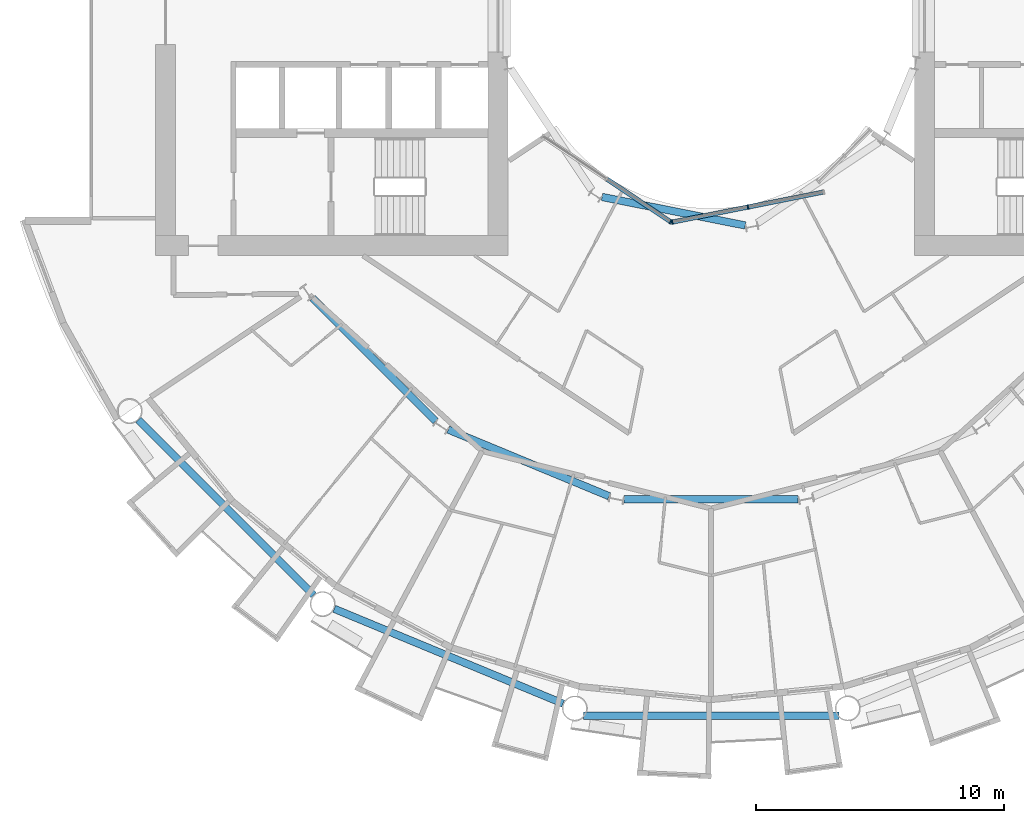
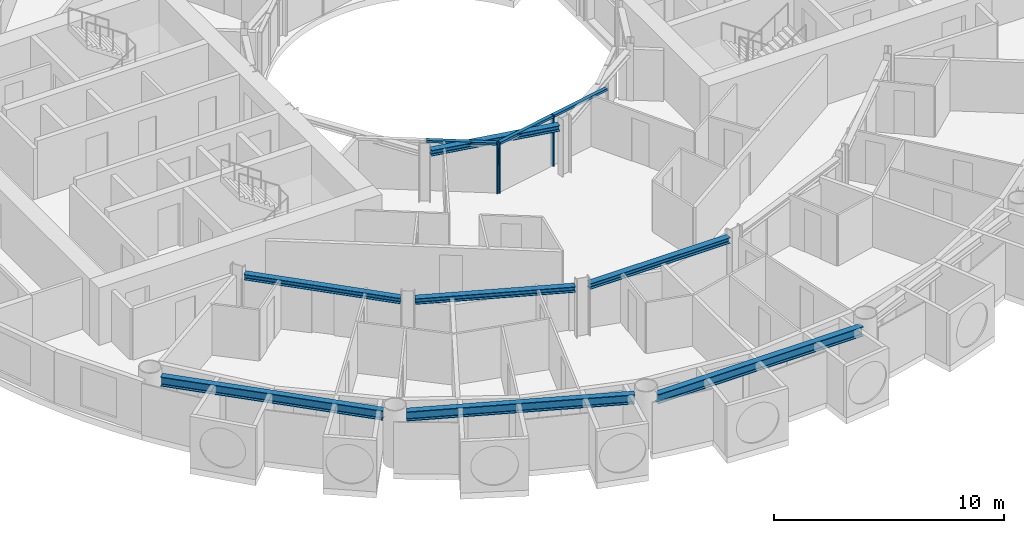
# One storey, part 4 of 26: 7 beams, 6 members, 2 elements without a shape of their own.
"""IFC4 building model written with IfcOpenShell, lengths in metres."""

from ifc_helpers import new_model, si_unit, direction, frame, origin, origin_2d, place, context, subcontext, project, spatial, rectangle, i_section, extrude, material, layer, layer_set, material_profile, profile_set, type_object, element, aggregate, save


model = new_model("IFC4")

# Units and contexts
model_context = context("Model", 3, precision=1e-05, world=origin(), true_north=direction((0.0, 1.0)))
body_context = subcontext(model_context, "Body", "Model", "MODEL_VIEW")
ifc_project = project(units=[si_unit("LENGTHUNIT", "METRE"), si_unit("AREAUNIT", "SQUARE_METRE"), si_unit("VOLUMEUNIT", "CUBIC_METRE"), si_unit("PLANEANGLEUNIT", "RADIAN"), si_unit("MASSUNIT", "GRAM", prefix="KILO")], contexts=[model_context])

# Site, building, storey
site_placement = place(None, origin())
site = spatial("IfcSite", under=ifc_project, at=site_placement, CompositionType="ELEMENT")
building_placement = place(site_placement, origin())
building = spatial("IfcBuilding", under=site, at=building_placement, Name="Maasbend Ring Residences", CompositionType="ELEMENT")
storey_placement = place(building_placement, frame((0.0, 0.0, 31.949951171875)))
storey = spatial("IfcBuildingStorey", under=building, at=storey_placement, Name="L08", CompositionType="ELEMENT", Elevation=31.949951171875)

# Curtain wall, member
ifc_material_1 = material(Name="Aluminium and clear glass", Category="aluminium")
ifc_layer = layer(ifc_material_1, 0.179931640625)
ifc_layer_set = layer_set([ifc_layer], Name="CW-W")
curtain_wall_type = type_object("IfcCurtainWallType", Name="CW-W", PredefinedType="NOTDEFINED", material=ifc_layer_set)
curtain_wall_1_placement = place(storey_placement, origin())
curtain_wall_1 = element("IfcCurtainWall", 1, at=curtain_wall_1_placement, inside=storey, type_object=curtain_wall_type, Name="Well curtain wall S1", PredefinedType="NOTDEFINED")
ifc_material_2 = material(Name="Aluminium 6063-T6", Category="aluminium")
ifc_material_profile_1 = material_profile(ifc_material_2, rectangle(XDim=0.179931640625, YDim=0.06005859375, at=origin_2d()), Name="AL 180x60")
ifc_profile_set_1 = profile_set([ifc_material_profile_1], Name="Aluminium 6063-T6")
member_type_1 = type_object("IfcMemberType", Name="CWM-W", PredefinedType="MULLION", material=ifc_profile_set_1)
member_1_placement = place(storey_placement, frame((-1.627685546875, -8.040771484375, 0.0), z_axis=(0.0, 0.0, 1.0), x_axis=(0.55557023302, 0.831469612303, 0.0)))
member_1 = element("IfcMember", 2, at=member_1_placement, type_object=member_type_1, Name="Mullion well face", PredefinedType="MULLION", context=body_context, shape_type="SweptSolid", body=[
    extrude(rectangle(XDim=0.179931640625, YDim=0.06005859375, at=origin_2d()), origin(), (0.0, 0.0, 1.0), 2.699951171875),
])

# Curtain wall, members
curtain_wall_2_placement = place(storey_placement, origin())
curtain_wall_2 = element("IfcCurtainWall", 3, at=curtain_wall_2_placement, inside=storey, type_object=curtain_wall_type, Name="Well curtain wall S2", PredefinedType="NOTDEFINED")
member_2_placement = place(storey_placement, frame((-1.5732421875, -8.0517578125, 0.0), z_axis=(0.0, 0.0, 1.0), x_axis=(-0.195090322016, 0.980785280403, 0.0)))
member_2 = element("IfcMember", 4, at=member_2_placement, type_object=member_type_1, Name="Mullion well face", PredefinedType="MULLION", context=body_context, shape_type="SweptSolid", body=[
    extrude(rectangle(XDim=0.179931640625, YDim=0.06005859375, at=origin_2d()), origin(), (0.0, 0.0, 1.0), 2.699951171875),
])
member_3_placement = place(storey_placement, frame((1.480712890625, -7.444091796875, 0.0), z_axis=(0.0, 0.0, 1.0), x_axis=(-0.195090322016, 0.980785280403, 0.0)))
member_3 = element("IfcMember", 5, at=member_3_placement, type_object=member_type_1, Name="Mullion well face", PredefinedType="MULLION", context=body_context, shape_type="SweptSolid", body=[
    extrude(rectangle(XDim=0.179931640625, YDim=0.06005859375, at=origin_2d()), origin(), (0.0, 0.0, 1.0), 2.699951171875),
])

# Member
ifc_material_3 = material(Name="Aluminium 6063-T6", Category="aluminium")
ifc_material_profile_2 = material_profile(ifc_material_3, rectangle(XDim=0.179931640625, YDim=0.1201171875, at=origin_2d()), Name="AL 180x120")
ifc_profile_set_2 = profile_set([ifc_material_profile_2], Name="Aluminium 6063-T6")
member_type_2 = type_object("IfcMemberType", Name="CWT-W", PredefinedType="USERDEFINED", material=ifc_profile_set_2)
member_4_placement = place(storey_placement, frame((-4.19189453125, -6.32763671875, 2.64013671875), z_axis=(0.831496422459, -0.555530106689, 0.0), x_axis=(0.555530106689, 0.831496422459, 0.0)))
member_4 = element("IfcMember", 6, at=member_4_placement, type_object=member_type_2, Name="Transom well face", ObjectType="TRANSOM", PredefinedType="USERDEFINED", context=body_context, shape_type="SweptSolid", body=[
    extrude(rectangle(XDim=0.179931640625, YDim=0.1201171875, at=origin_2d()), origin(), (0.0, 0.0, 1.0), 3.053955078125),
])

aggregate(curtain_wall_1, [member_1, member_4])

member_5_placement = place(storey_placement, frame((-1.5439453125, -8.0458984375, 2.64013671875), z_axis=(0.980776956105, 0.195132166424, 0.0), x_axis=(-0.195132166424, 0.980776956105, 0.0)))
member_5 = element("IfcMember", 7, at=member_5_placement, type_object=member_type_2, Name="Transom well face", ObjectType="TRANSOM", PredefinedType="USERDEFINED", context=body_context, shape_type="SweptSolid", body=[
    extrude(rectangle(XDim=0.179931640625, YDim=0.1201171875, at=origin_2d()), origin(), (0.0, 0.0, 1.0), 3.053955078125),
])

member_6_placement = place(storey_placement, frame((1.51025390625, -7.438232421875, 2.64013671875), z_axis=(0.980789210404, 0.19507056353, 0.0), x_axis=(-0.19507056353, 0.980789210404, 0.0)))
member_6 = element("IfcMember", 8, at=member_6_placement, type_object=member_type_2, Name="Transom well face", ObjectType="TRANSOM", PredefinedType="USERDEFINED", context=body_context, shape_type="SweptSolid", body=[
    extrude(rectangle(XDim=0.179931640625, YDim=0.1201171875, at=origin_2d()), origin(), (0.0, 0.0, 1.0), 3.0537109375),
])

aggregate(curtain_wall_2, [member_2, member_3, member_5, member_6])

# Beams
ifc_material_4 = material(Name="Steel S355J2", Category="steel")
ifc_material_profile_3 = material_profile(ifc_material_4, i_section(OverallWidth=0.300048828125, OverallDepth=0.300048828125, WebThickness=0.010986328125, FlangeThickness=0.01904296875, FilletRadius=0.027099609375, at=origin_2d()), Name="HEB 300")
ifc_profile_set_3 = profile_set([ifc_material_profile_3], Name="Steel S355J2")
beam_type_1 = type_object("IfcBeamType", Name="Corridor ring beam HEB 300", PredefinedType="BEAM", material=ifc_profile_set_3)
beam_1_placement = place(storey_placement, frame((-16.0732421875, -11.11279296875, 2.550048828125), z_axis=(0.707106781187, -0.707106781187, 0.0), x_axis=(0.707106781187, 0.707106781187, 0.0)))
element("IfcBeam", 9, at=beam_1_placement, inside=storey, type_object=beam_type_1, Name="Corridor ring beam", PredefinedType="BEAM", context=body_context, shape_type="SweptSolid", body=[
    extrude(i_section(OverallWidth=0.300048828125, OverallDepth=0.300048828125, WebThickness=0.010986328125, FlangeThickness=0.01904296875, FilletRadius=0.027099609375, at=origin_2d()), origin(), (0.0, 0.0, 1.0), 7.01513671875),
])
beam_2_placement = place(storey_placement, frame((-10.59716796875, -16.417724609375, 2.550048828125), z_axis=(0.923886196809, -0.38266734293, 0.0), x_axis=(0.38266734293, 0.923886196809, 0.0)))
element("IfcBeam", 10, at=beam_2_placement, inside=storey, type_object=beam_type_1, Name="Corridor ring beam", PredefinedType="BEAM", context=body_context, shape_type="SweptSolid", body=[
    extrude(i_section(OverallWidth=0.300048828125, OverallDepth=0.300048828125, WebThickness=0.010986328125, FlangeThickness=0.01904296875, FilletRadius=0.027099609375, at=origin_2d()), origin(), (0.0, 0.0, 1.0), 7.015380859375),
])
beam_3_placement = place(storey_placement, frame((-3.5078125, -19.223388671875, 2.550048828125), z_axis=(1.0, 0.0, 0.0), x_axis=(0.0, 1.0, 0.0)))
element("IfcBeam", 11, at=beam_3_placement, inside=storey, type_object=beam_type_1, Name="Corridor ring beam", PredefinedType="BEAM", context=body_context, shape_type="SweptSolid", body=[
    extrude(i_section(OverallWidth=0.300048828125, OverallDepth=0.300048828125, WebThickness=0.010986328125, FlangeThickness=0.01904296875, FilletRadius=0.027099609375, at=origin_2d()), origin(), (0.0, 0.0, 1.0), 7.015625),
])
ifc_material_5 = material(Name="Steel S355J2", Category="steel")
ifc_material_profile_4 = material_profile(ifc_material_5, i_section(OverallWidth=0.300048828125, OverallDepth=0.5, WebThickness=0.014404296875, FlangeThickness=0.028076171875, FilletRadius=0.027099609375, at=origin_2d()), Name="HEB 500")
ifc_profile_set_4 = profile_set([ifc_material_profile_4], Name="Steel S355J2")
beam_type_2 = type_object("IfcBeamType", Name="Spandrel ring beam HEB 500", PredefinedType="SPANDREL", material=ifc_profile_set_4)
beam_4_placement = place(storey_placement, frame((-23.088134765625, -16.0263671875, 2.449951171875), z_axis=(0.707106781187, -0.707106781187, 0.0), x_axis=(0.707106781187, 0.707106781187, 0.0)))
element("IfcBeam", 12, at=beam_4_placement, inside=storey, type_object=beam_type_2, Name="Spandrel ring beam", PredefinedType="SPANDREL", context=body_context, shape_type="SweptSolid", body=[
    extrude(i_section(OverallWidth=0.300048828125, OverallDepth=0.5, WebThickness=0.014404296875, FlangeThickness=0.028076171875, FilletRadius=0.027099609375, at=origin_2d()), origin(), (0.0, 0.0, 1.0), 9.98681640625),
])
beam_5_placement = place(storey_placement, frame((-15.19775390625, -23.641845703125, 2.449951171875), z_axis=(0.923886337442, -0.382667003395, 0.0), x_axis=(0.382667003395, 0.923886337442, 0.0)))
element("IfcBeam", 13, at=beam_5_placement, inside=storey, type_object=beam_type_2, Name="Spandrel ring beam", PredefinedType="SPANDREL", context=body_context, shape_type="SweptSolid", body=[
    extrude(i_section(OverallWidth=0.300048828125, OverallDepth=0.5, WebThickness=0.014404296875, FlangeThickness=0.028076171875, FilletRadius=0.027099609375, at=origin_2d()), origin(), (0.0, 0.0, 1.0), 9.9873046875),
])
beam_6_placement = place(storey_placement, frame((-5.1435546875, -27.9580078125, 2.449951171875), z_axis=(1.0, 0.0, 0.0), x_axis=(0.0, 1.0, 0.0)))
element("IfcBeam", 14, at=beam_6_placement, inside=storey, type_object=beam_type_2, Name="Spandrel ring beam", PredefinedType="SPANDREL", context=body_context, shape_type="SweptSolid", body=[
    extrude(i_section(OverallWidth=0.300048828125, OverallDepth=0.5, WebThickness=0.014404296875, FlangeThickness=0.028076171875, FilletRadius=0.027099609375, at=origin_2d()), origin(), (0.0, 0.0, 1.0), 10.287109375),
])
ifc_material_6 = material(Name="Steel S355J2", Category="steel")
ifc_material_profile_5 = material_profile(ifc_material_6, i_section(OverallWidth=0.300048828125, OverallDepth=0.300048828125, WebThickness=0.010986328125, FlangeThickness=0.01904296875, FilletRadius=0.027099609375, at=origin_2d()), Name="HEB 300")
ifc_profile_set_5 = profile_set([ifc_material_profile_5], Name="Steel S355J2")
beam_type_3 = type_object("IfcBeamType", Name="Well edge beam HEB 300", PredefinedType="BEAM", material=ifc_profile_set_5)
beam_7_placement = place(storey_placement, frame((-4.4013671875, -7.037109375, 2.550048828125), z_axis=(0.980784282486, -0.195095338819, 0.0), x_axis=(0.195095338819, 0.980784282486, 0.0)))
element("IfcBeam", 15, at=beam_7_placement, inside=storey, type_object=beam_type_3, Name="Well edge beam", PredefinedType="BEAM", context=body_context, shape_type="SweptSolid", body=[
    extrude(i_section(OverallWidth=0.300048828125, OverallDepth=0.300048828125, WebThickness=0.010986328125, FlangeThickness=0.01904296875, FilletRadius=0.027099609375, at=origin_2d()), origin(), (0.0, 0.0, 1.0), 5.8876953125),
])

save(model, "model.ifc")
